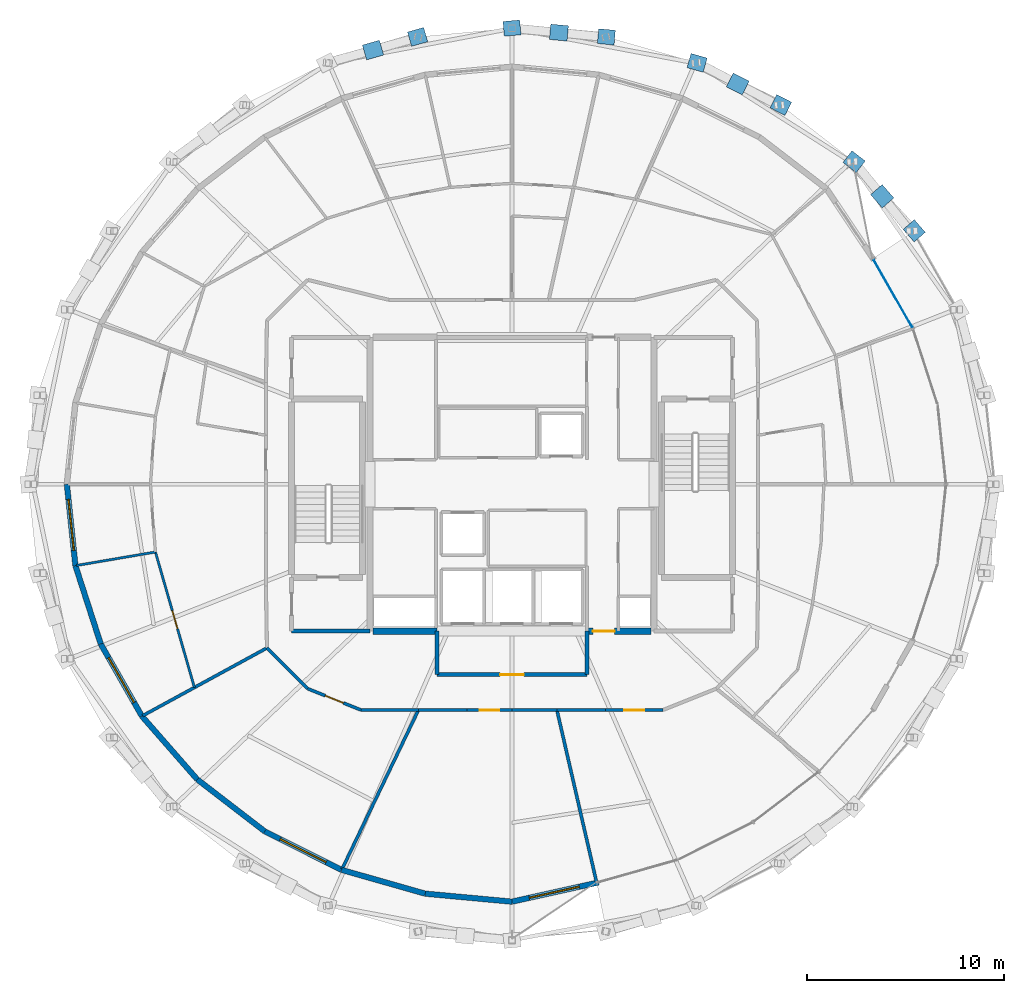
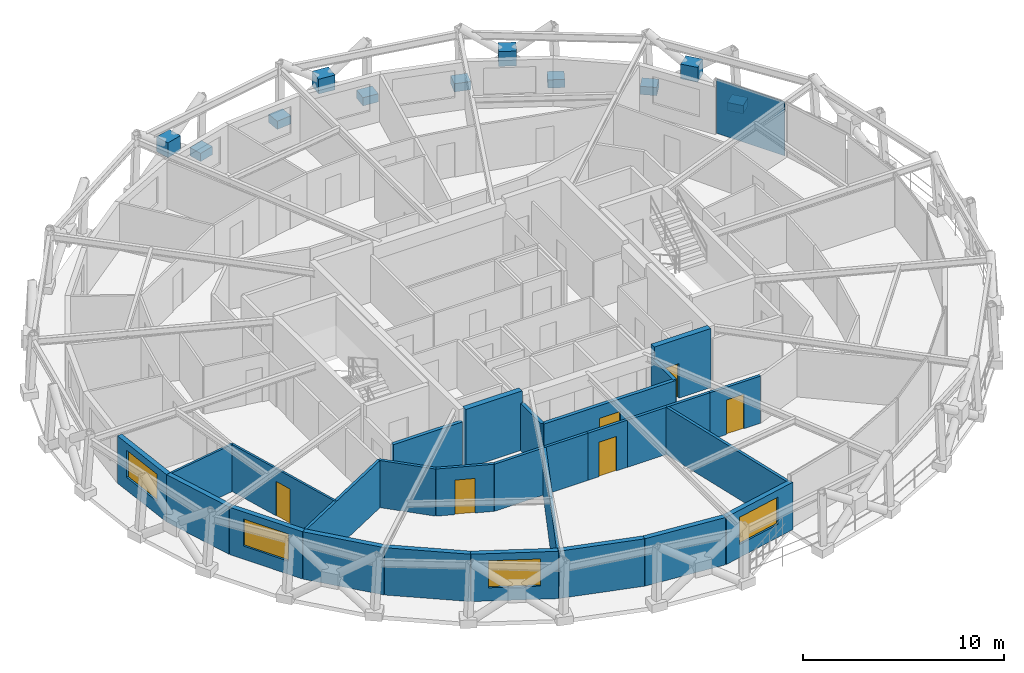
# One storey, part 11 of 17: 28 walls, 12 plates, 6 doors, 4 windows, 10 openings, 1 element without a shape of its own.
"""IFC4 building model written with IfcOpenShell, lengths in metres."""

import ifcopenshell
import ifcopenshell.guid

model = None  # the IFC model being written
_history = None  # IfcOwnerHistory: only IFC2X3 demands one
_inside = {}  # id of a spatial element -> (the spatial element, [elements in it])
_under = {}  # id of a project, library or spatial element -> (it, [spatial elements below it])
_declared = {}  # id of a project -> (the project, [libraries it declares])
_typed = {}  # id of a type object -> (the type object, [elements of that type])
_made_of = {}  # id of a material, layer set ... -> (it, [elements and type objects made of it])


def new_model(schema):
    """Start an empty IFC model of exactly this schema.

    Asked for "IFC4X3", IfcOpenShell would pick the latest addendum, in which some entities
    have other attributes; the version numbers below select the first issue.
    IFC2X3 requires an IfcOwnerHistory on every rooted entity: one is made here for all.
    """
    global model, _history
    if schema == "IFC4X3":
        model = ifcopenshell.file(schema_version=(4, 3, 0, 0))
    else:
        model = ifcopenshell.file(schema=schema)
    _inside.clear()
    _under.clear()
    _declared.clear()
    _typed.clear()
    _made_of.clear()
    _history = None
    if model.schema == "IFC2X3":
        org = make("IfcOrganization", Name="unknown")
        user = make(
            "IfcPersonAndOrganization",
            ThePerson=make("IfcPerson", FamilyName="unknown"),
            TheOrganization=org,
        )
        app = make(
            "IfcApplication",
            ApplicationDeveloper=org,
            Version="unknown",
            ApplicationFullName="unknown",
            ApplicationIdentifier="unknown",
        )
        _history = make(
            "IfcOwnerHistory",
            OwningUser=user,
            OwningApplication=app,
            ChangeAction="ADDED",
            CreationDate=0,
        )
    return model


def make(cls, **values):
    """One entity of the class cls with the attributes given. An attribute that is None is left unset."""
    return model.create_entity(
        cls, **{name: value for name, value in values.items() if value is not None}
    )


def rooted(cls, **values):
    """An entity with a GlobalId (a new one), such as an element, a storey or a relation."""
    return make(cls, GlobalId=ifcopenshell.guid.new(), OwnerHistory=_history, **values)


def si_unit(unit_type, name, prefix=None):
    """IfcSIUnit, for example si_unit("LENGTHUNIT", "METRE", prefix="MILLI")."""
    return make("IfcSIUnit", UnitType=unit_type, Prefix=prefix, Name=name)


def assignment(units):
    """IfcUnitAssignment: the units of a project."""
    return None if units is None else make("IfcUnitAssignment", Units=units)


def point(xyz):
    """IfcCartesianPoint."""
    return None if xyz is None else make("IfcCartesianPoint", Coordinates=xyz)


def direction(xyz):
    """IfcDirection."""
    return None if xyz is None else make("IfcDirection", DirectionRatios=xyz)


def frame(location, z_axis=None, x_axis=None):
    """IfcAxis2Placement3D, a coordinate frame: its origin and axes. An axis left out is left unset."""
    return make(
        "IfcAxis2Placement3D",
        Location=point(location),
        Axis=direction(z_axis),
        RefDirection=direction(x_axis),
    )


def frame_2d(location, x_axis=None):
    """IfcAxis2Placement2D, a coordinate frame in the plane: its origin and x axis."""
    return make(
        "IfcAxis2Placement2D", Location=point(location), RefDirection=direction(x_axis)
    )


def origin():
    """The frame at (0, 0, 0) with its axes left unset."""
    return frame((0.0, 0.0, 0.0))


def origin_2d():
    """The frame at (0, 0) in the plane with its x axis left unset."""
    return frame_2d((0.0, 0.0))


def place(relative_to, where):
    """IfcLocalPlacement: puts the frame where relative to a parent placement (None: the world)."""
    return make(
        "IfcLocalPlacement", PlacementRelTo=relative_to, RelativePlacement=where
    )


def context(
    kind, dimensions, precision=None, world=None, true_north=None, identifier=None
):
    """IfcGeometricRepresentationContext, for example the 3D "Model" context."""
    return make(
        "IfcGeometricRepresentationContext",
        ContextIdentifier=identifier,
        ContextType=kind,
        CoordinateSpaceDimension=dimensions,
        Precision=precision,
        WorldCoordinateSystem=world,
        TrueNorth=true_north,
    )


def subcontext(parent, identifier, kind, view, scale=None):
    """IfcGeometricRepresentationSubContext, for example "Body" below "Model"."""
    return make(
        "IfcGeometricRepresentationSubContext",
        ContextIdentifier=identifier,
        ContextType=kind,
        ParentContext=parent,
        TargetScale=scale,
        TargetView=view,
    )


def project(units=None, contexts=None):
    """IfcProject with its units and contexts."""
    return rooted(
        "IfcProject",
        Name="project",
        RepresentationContexts=contexts,
        UnitsInContext=assignment(units),
    )


def spatial(cls, under=None, at=None, **own):
    """A site, building, storey or space (cls), placed at a placement, below another one or the project."""
    s = rooted(cls, ObjectPlacement=at, **own)
    if under is not None:
        _under.setdefault(under.id(), (under, []))[1].append(s)
    return s


def profile(cls, at=None, kind="AREA", **sizes):
    """A parametric profile (cls). Its sizes go by their IFC names, for example OverallWidth=200.0."""
    return make(cls, ProfileType=kind, Position=at, **sizes)


def rectangle(**sizes):
    """IfcRectangleProfileDef."""
    return profile("IfcRectangleProfileDef", **sizes)


def extrude(swept, where, along, depth):
    """IfcExtrudedAreaSolid: the profile swept, set in the frame where, extruded along a direction by depth."""
    return make(
        "IfcExtrudedAreaSolid",
        SweptArea=swept,
        Position=where,
        ExtrudedDirection=direction(along),
        Depth=depth,
    )


def shape(context_of_items, identifier, shape_type, items):
    """IfcShapeRepresentation: the items that make up one representation, for example the "Body"."""
    return make(
        "IfcShapeRepresentation",
        ContextOfItems=context_of_items,
        RepresentationIdentifier=identifier,
        RepresentationType=shape_type,
        Items=items,
    )


def material(Name=None, Category=None):
    """IfcMaterial."""
    return make("IfcMaterial", Name=Name, Category=Category)


def layer(
    of_material, thickness, ventilated=None, Name=None, Category=None, Priority=None
):
    """IfcMaterialLayer: one layer of a wall or slab, of a material (None: an air gap)."""
    return make(
        "IfcMaterialLayer",
        Material=of_material,
        LayerThickness=thickness,
        IsVentilated=ventilated,
        Name=Name,
        Category=Category,
        Priority=Priority,
    )


def layer_set(layers, Name=None):
    """IfcMaterialLayerSet."""
    return make("IfcMaterialLayerSet", MaterialLayers=layers, LayerSetName=Name)


def made_of(thing, what):
    """Note that an element or type object is made of a material, layer set ...; save() writes the relation."""
    if what is not None:
        _made_of.setdefault(what.id(), (what, []))[1].append(thing)
    return thing


def type_object(cls, material=None, **own):
    """A type object (cls), such as IfcWallType, which elements share."""
    return made_of(rooted(cls, **own), material)


def element(
    cls,
    number,
    at=None,
    inside=None,
    cuts=None,
    type_object=None,
    material=None,
    context=None,
    identifier="Body",
    shape_type=None,
    held_by="IfcProductDefinitionShape",
    body=None,
    shapes=None,
    **own,
):
    """One element of the class cls, such as IfcWall. Its Tag is "e" and its number.

    at: its placement. inside: the storey or other place that contains it. cuts: it is an
    opening in that element (IfcRelVoidsElement). A single representation is given by context,
    identifier, shape_type and body (its items); several are given by shapes. held_by: the class
    of the entity that holds the representations. save() writes the other relations.
    """
    e = rooted(cls, Tag="e%d" % number, ObjectPlacement=at, **own)
    if body is not None:
        shapes = [shape(context, identifier, shape_type, body)]
    if shapes is not None:
        e.Representation = make(held_by, Representations=shapes)
    if inside is not None:
        _inside.setdefault(inside.id(), (inside, []))[1].append(e)
    if cuts is not None:
        rooted(
            "IfcRelVoidsElement", RelatingBuildingElement=cuts, RelatedOpeningElement=e
        )
    if type_object is not None:
        _typed.setdefault(type_object.id(), (type_object, []))[1].append(e)
    return made_of(e, material)


def fill(opening, filler):
    """IfcRelFillsElement: the door or window that sits in an opening."""
    return rooted(
        "IfcRelFillsElement",
        RelatingOpeningElement=opening,
        RelatedBuildingElement=filler,
    )


def aggregate(whole, parts):
    """IfcRelAggregates: a whole, such as a stair, and the parts it consists of."""
    return rooted("IfcRelAggregates", RelatingObject=whole, RelatedObjects=parts)


def save(model, path):
    """Write the relations noted so far, then the file.

    IfcRelAggregates (storeys below a building ...), IfcRelContainedInSpatialStructure (elements
    in a storey), IfcRelDefinesByType, IfcRelAssociatesMaterial and IfcRelDeclares: one each for
    every whole, place, type object, material and project.
    """
    for whole, parts in _under.values():
        aggregate(whole, parts)
    for where, things in _inside.values():
        rooted(
            "IfcRelContainedInSpatialStructure",
            RelatedElements=things,
            RelatingStructure=where,
        )
    for kind, things in _typed.values():
        rooted("IfcRelDefinesByType", RelatedObjects=things, RelatingType=kind)
    for what, things in _made_of.values():
        rooted("IfcRelAssociatesMaterial", RelatedObjects=things, RelatingMaterial=what)
    for by, libraries in _declared.values():
        rooted("IfcRelDeclares", RelatingContext=by, RelatedDefinitions=libraries)
    model.write(path)


model = new_model("IFC4")

# Units and contexts
model_context = context("Model", 3, precision=1e-05, world=origin(), true_north=direction((0.0, 1.0)))
body_context = subcontext(model_context, "Body", "Model", "MODEL_VIEW")
ifc_project = project(units=[si_unit("LENGTHUNIT", "METRE"), si_unit("AREAUNIT", "SQUARE_METRE"), si_unit("VOLUMEUNIT", "CUBIC_METRE"), si_unit("PLANEANGLEUNIT", "RADIAN"), si_unit("MASSUNIT", "GRAM", prefix="KILO")], contexts=[model_context])

# Site, building, storey
site_placement = place(None, origin())
site = spatial("IfcSite", under=ifc_project, at=site_placement, CompositionType="ELEMENT")
building_placement = place(site_placement, origin())
building = spatial("IfcBuilding", under=site, at=building_placement, Name="Veldorina Hangang Commons", CompositionType="ELEMENT")
storey_placement = place(building_placement, frame((0.0, 0.0, 229.199951171875)))
storey = spatial("IfcBuildingStorey", under=building, at=storey_placement, Name="L59", CompositionType="ELEMENT", Elevation=229.199951171875)

# Curtain wall, plate
ifc_material_1 = material(Name="Glass Low-E Selective", Category="glass")
ifc_layer_1 = layer(ifc_material_1, 0.179931640625)
ifc_layer_set_1 = layer_set([ifc_layer_1], Name="Glass Low-E Selective")
curtain_wall_type = type_object("IfcCurtainWallType", Name="CW-SYS-Z3", PredefinedType="NOTDEFINED", material=ifc_layer_set_1)
curtain_wall_placement = place(storey_placement, origin())
curtain_wall = element("IfcCurtainWall", 1, at=curtain_wall_placement, inside=storey, type_object=curtain_wall_type, Name="L59 unitised curtain wall CW-L59-R2", PredefinedType="NOTDEFINED")
ifc_material_2 = material(Name="Glass Low-E Triple IGU", Category="glass")
ifc_layer_2 = layer(ifc_material_2, 0.0400390625)
ifc_layer_set_2 = layer_set([ifc_layer_2], Name="Glass Low-E Triple IGU")
plate_type_1 = type_object("IfcPlateType", Name="CW-PNL-VIS", PredefinedType="CURTAIN_PANEL", material=ifc_layer_set_2)
plate_1_placement = place(storey_placement, frame((51.3212890625, 33.668701171875, 0.01513671875), z_axis=(0.0, 0.0, 1.0), x_axis=(-0.495792162458, 0.868441207938, 0.0)))
plate_1 = element("IfcPlate", 2, at=plate_1_placement, type_object=plate_type_1, Name="CW-L59-R2 facet 5 glazed vision panel", PredefinedType="CURTAIN_PANEL", context=body_context, shape_type="SweptSolid", body=[
    extrude(rectangle(XDim=3.923095703125, YDim=0.0400390625, at=origin_2d()), origin(), (0.0, 0.0, 1.0), 3.2900390625),
])
aggregate(curtain_wall, [plate_1])

# Plates
ifc_material_3 = material(Name="Steel SM460-TMC", Category="steel")
ifc_layer_3 = layer(ifc_material_3, 0.035888671875)
ifc_layer_set_3 = layer_set([ifc_layer_3], Name="Steel SM460-TMC")
plate_type_2 = type_object("IfcPlateType", Name="PL-STAR-36", PredefinedType="USERDEFINED", material=ifc_layer_set_3)
plate_2_placement = place(storey_placement, frame((52.3994140625, 36.8505859375, -0.08984375), z_axis=(0.0, 0.0, 1.0), x_axis=(-0.656572591483, 0.754262840204, 0.0)))
element("IfcPlate", 3, at=plate_2_placement, inside=storey, type_object=plate_type_2, Name="L59 diagrid star-node gusset plate 03", ObjectType="GUSSET PLATE", PredefinedType="USERDEFINED", context=body_context, shape_type="SweptSolid", body=[
    extrude(rectangle(XDim=0.85009765625, YDim=0.75, at=origin_2d()), origin(), (0.0, 0.0, 1.0), 0.5),
])
plate_3_placement = place(storey_placement, frame((50.77490234375, 38.60302734375, 1.3544921875), z_axis=(0.0, 0.0, 1.0), x_axis=(-0.656572591483, 0.754262840204, 0.0)))
element("IfcPlate", 4, at=plate_3_placement, inside=storey, type_object=plate_type_2, Name="L59 diagrid X-crossing star-node gusset plate 03", ObjectType="GUSSET PLATE", PredefinedType="USERDEFINED", context=body_context, shape_type="SweptSolid", body=[
    extrude(rectangle(XDim=0.89990234375, YDim=0.780029296875, at=origin_2d()), origin(), (0.0, 0.0, 1.0), 0.89990234375),
])
for number, where, z_axis, x_axis, name in (
    (5, (49.34814453125, 40.355712890625, -0.08984375), (0.0, 0.0, 1.0), (-0.790913909982, 0.611927436055, 0.0), "L59 diagrid star-node gusset plate 04"),
    (6, (45.63037109375, 43.232177734375, -0.08984375), (0.0, 0.0, 1.0), (-0.89301821851, 0.45002051221, 0.0), "L59 diagrid star-node gusset plate 05"),
):
    element("IfcPlate", number, at=place(storey_placement, frame(where, z_axis=z_axis, x_axis=x_axis)), inside=storey, type_object=plate_type_2, Name=name, ObjectType="GUSSET PLATE", PredefinedType="USERDEFINED", context=body_context, shape_type="SweptSolid", body=[
        extrude(rectangle(XDim=0.85009765625, YDim=0.75, at=origin_2d()), origin(), (0.0, 0.0, 1.0), 0.5),
    ])
plate_4_placement = place(storey_placement, frame((43.44873046875, 44.300048828125, 1.358154296875), z_axis=(0.0, 0.0, 1.0), x_axis=(-0.89301821851, 0.45002051221, 0.0)))
element("IfcPlate", 7, at=plate_4_placement, inside=storey, type_object=plate_type_2, Name="L59 diagrid X-crossing star-node gusset plate 05", ObjectType="GUSSET PLATE", PredefinedType="USERDEFINED", context=body_context, shape_type="SweptSolid", body=[
    extrude(rectangle(XDim=0.89990234375, YDim=0.780029296875, at=origin_2d()), origin(), (0.0, 0.0, 1.0), 0.89990234375),
])
for number, where, z_axis, x_axis, name in (
    (8, (41.388916015625, 45.36962890625, -0.08984375), (0.0, 0.0, 1.0), (-0.961453892845, 0.274966201438, 0.0), "L59 diagrid star-node gusset plate 06"),
    (9, (36.786376953125, 46.685791015625, -0.08984375), (0.0, 0.0, 1.0), (-0.995716633539, 0.092457480467, 0.0), "L59 diagrid star-node gusset plate 07"),
):
    element("IfcPlate", number, at=place(storey_placement, frame(where, z_axis=z_axis, x_axis=x_axis)), inside=storey, type_object=plate_type_2, Name=name, ObjectType="GUSSET PLATE", PredefinedType="USERDEFINED", context=body_context, shape_type="SweptSolid", body=[
        extrude(rectangle(XDim=0.85009765625, YDim=0.75, at=origin_2d()), origin(), (0.0, 0.0, 1.0), 0.5),
    ])
plate_5_placement = place(storey_placement, frame((34.380126953125, 46.9033203125, 1.35986328125), z_axis=(0.0, 0.0, 1.0), x_axis=(-0.995716633539, 0.092457480467, 0.0)))
element("IfcPlate", 10, at=plate_5_placement, inside=storey, type_object=plate_type_2, Name="L59 diagrid X-crossing star-node gusset plate 07", ObjectType="GUSSET PLATE", PredefinedType="USERDEFINED", context=body_context, shape_type="SweptSolid", body=[
    extrude(rectangle(XDim=0.89990234375, YDim=0.780029296875, at=origin_2d()), origin(), (0.0, 0.0, 1.0), 0.89990234375),
])
for number, where, z_axis, x_axis, name in (
    (11, (32.0, 47.13037109375, -0.08984375), (0.0, 0.0, 1.0), (-0.995716633539, -0.092457480467, 0.0), "L59 diagrid star-node gusset plate 08"),
    (12, (27.213623046875, 46.685791015625, -0.08984375), (0.0, 0.0, 1.0), (-0.961453892845, -0.274966201438, 0.0), "L59 diagrid star-node gusset plate 09"),
):
    element("IfcPlate", number, at=place(storey_placement, frame(where, z_axis=z_axis, x_axis=x_axis)), inside=storey, type_object=plate_type_2, Name=name, ObjectType="GUSSET PLATE", PredefinedType="USERDEFINED", context=body_context, shape_type="SweptSolid", body=[
        extrude(rectangle(XDim=0.85009765625, YDim=0.75, at=origin_2d()), origin(), (0.0, 0.0, 1.0), 0.5),
    ])
plate_6_placement = place(storey_placement, frame((24.952392578125, 46.018798828125, 1.359375), z_axis=(0.0, 0.0, 1.0), x_axis=(-0.961453892845, -0.274966201438, 0.0)))
element("IfcPlate", 13, at=plate_6_placement, inside=storey, type_object=plate_type_2, Name="L59 diagrid X-crossing star-node gusset plate 09", ObjectType="GUSSET PLATE", PredefinedType="USERDEFINED", context=body_context, shape_type="SweptSolid", body=[
    extrude(rectangle(XDim=0.89990234375, YDim=0.780029296875, at=origin_2d()), origin(), (0.0, 0.0, 1.0), 0.89990234375),
])

# Wall
ifc_material_4 = material(Name="Concrete C50/60", Category="concrete")
ifc_layer_4 = layer(ifc_material_4, 0.320068359375)
ifc_layer_set_4 = layer_set([ifc_layer_4], Name="Concrete C50/60")
wall_type_1 = type_object("IfcWallType", Name="CW-RC320-C50", PredefinedType="SHEAR", material=ifc_layer_set_4)
wall_1_placement = place(storey_placement, frame((24.9599609375, 16.550048828125, 0.0), z_axis=(0.0, 0.0, 1.0), x_axis=(1.0, 0.0, 0.0)))
element("IfcWall", 14, at=wall_1_placement, inside=storey, type_object=wall_type_1, Name="L59 south-west core shear wall", PredefinedType="SHEAR", context=body_context, shape_type="SweptSolid", body=[
    extrude(rectangle(XDim=3.239990234375, YDim=0.320068359375, at=frame_2d((1.6201171875, 0.0))), origin(), (0.0, 0.0, 1.0), 3.60009765625),
])

# Wall, opening, door
wall_2_placement = place(storey_placement, frame((35.800048828125, 16.550048828125, 0.0), z_axis=(0.0, 0.0, 1.0), x_axis=(1.0, 0.0, 0.0)))
wall_2 = element("IfcWall", 15, at=wall_2_placement, inside=storey, type_object=wall_type_1, Name="L59 south-east core shear wall", PredefinedType="SHEAR", context=body_context, shape_type="SweptSolid", body=[
    extrude(rectangle(XDim=3.239990234375, YDim=0.320068359375, at=frame_2d((1.6201171875, 0.0))), origin(), (0.0, 0.0, 1.0), 3.60009765625),
])
opening_1_placement = place(wall_2_placement, frame((0.300048828125, 0.0, 0.0)))
opening_1 = element("IfcOpeningElement", 16, at=opening_1_placement, cuts=wall_2, Name="Opening D-08", PredefinedType="OPENING", context=body_context, shape_type="SweptSolid", body=[
    extrude(rectangle(XDim=1.10009765625, YDim=2.10009765625, at=frame_2d((0.550048828125, 1.050048828125))), frame((0.0, 0.169921875, 0.0), z_axis=(0.0, -1.0, 0.0), x_axis=(1.0, 0.0, 0.0)), (0.0, 0.0, 1.0), 0.340087890625),
])
ifc_material_5 = material(Name="Steel Fire-Rated Smoke Seal", Category="steel")
door_type_1 = type_object("IfcDoorType", Name="DR-FIRE-1100", OperationType="SINGLE_SWING_RIGHT", PredefinedType="DOOR", material=ifc_material_5)
door_1_placement = place(opening_1_placement, origin())
door_1 = element("IfcDoor", 17, at=door_1_placement, inside=storey, type_object=door_type_1, Name="L59 central lift lobby south corridor door", OperationType="SINGLE_SWING_RIGHT", OverallHeight=2.10009765625, OverallWidth=1.10009765625, PredefinedType="DOOR", context=body_context, shape_type="SweptSolid", body=[
    extrude(rectangle(XDim=1.10009765625, YDim=2.10009765625, at=frame_2d((0.550048828125, 1.050048828125))), frame((0.0, 0.02490234375, 0.0), z_axis=(0.0, -1.0, 0.0), x_axis=(1.0, 0.0, 0.0)), (0.0, 0.0, 1.0), 0.050048828125),
])
fill(opening_1, door_1)

# Wall, opening, window
ifc_material_6 = material(Name="Stone Roman Travertine", Category="masonry")
ifc_layer_5 = layer(ifc_material_6, 0.280029296875)
ifc_layer_set_5 = layer_set([ifc_layer_5], Name="Stone Roman Travertine")
wall_type_2 = type_object("IfcWallType", Name="EW-TRAV-280", PredefinedType="STANDARD", material=ifc_layer_set_5)
wall_3_placement = place(storey_placement, frame((9.426025390625, 24.0, 0.0), z_axis=(0.0, 0.0, 1.0), x_axis=(0.104467505457, -0.994528300404, 0.0)))
wall_3 = element("IfcWall", 18, at=wall_3_placement, inside=storey, type_object=wall_type_2, Name="L59 travertine facade wall 16", PredefinedType="STANDARD", context=body_context, shape_type="SweptSolid", body=[
    extrude(rectangle(XDim=4.15283203125, YDim=0.280029296875, at=frame_2d((2.076416015625, 0.0))), origin(), (0.0, 0.0, 1.0), 2.880126953125),
])
opening_2_placement = place(wall_3_placement, frame((0.7763671875, 0.0, 0.800048828125)))
opening_2 = element("IfcOpeningElement", 19, at=opening_2_placement, cuts=wall_3, Name="Opening W-02", PredefinedType="OPENING", context=body_context, shape_type="SweptSolid", body=[
    extrude(rectangle(XDim=2.60009765625, YDim=1.64990234375, at=frame_2d((1.300048828125, 0.824951171875))), frame((0.0, 0.14990234375, 0.0), z_axis=(0.0, -1.0, 0.0), x_axis=(1.0, 0.0, 0.0)), (0.0, 0.0, 1.0), 0.300048828125),
])
window_type = type_object("IfcWindowType", Name="WIN-TWR-2600", PartitioningType="SINGLE_PANEL", PredefinedType="WINDOW", material=ifc_material_2)
window_1_placement = place(opening_2_placement, origin())
window_1 = element("IfcWindow", 20, at=window_1_placement, inside=storey, type_object=window_type, Name="L59 facade window 16", OverallHeight=1.64990234375, OverallWidth=2.60009765625, PartitioningType="SINGLE_PANEL", PredefinedType="WINDOW", context=body_context, shape_type="SweptSolid", body=[
    extrude(rectangle(XDim=2.60009765625, YDim=1.64990234375, at=frame_2d((1.300048828125, 0.824951171875))), frame((0.0, 0.030029296875, 0.0), z_axis=(0.0, -1.0, 0.0), x_axis=(1.0, 0.0, 0.0)), (0.0, 0.0, 1.0), 0.06005859375),
])
fill(opening_2, window_1)

# Wall
wall_4_placement = place(storey_placement, frame((9.85986328125, 19.869873046875, 0.0), z_axis=(0.0, 0.0, 1.0), x_axis=(0.307722172472, -0.951476255389, 0.0)))
element("IfcWall", 21, at=wall_4_placement, inside=storey, type_object=wall_type_2, Name="L59 travertine facade wall 17", PredefinedType="STANDARD", context=body_context, shape_type="SweptSolid", body=[
    extrude(rectangle(XDim=4.174072265625, YDim=0.280029296875, at=frame_2d((2.0869140625, 0.0))), origin(), (0.0, 0.0, 1.0), 2.880126953125),
])

# Wall, opening, window
wall_5_placement = place(storey_placement, frame((11.144287109375, 15.8984375, 0.0), z_axis=(0.0, 0.0, 1.0), x_axis=(0.495183798622, -0.868788239782, 0.0)))
wall_5 = element("IfcWall", 22, at=wall_5_placement, inside=storey, type_object=wall_type_2, Name="L59 travertine facade wall 18", PredefinedType="STANDARD", context=body_context, shape_type="SweptSolid", body=[
    extrude(rectangle(XDim=4.212890625, YDim=0.280029296875, at=frame_2d((2.1064453125, 0.0))), origin(), (0.0, 0.0, 1.0), 2.880126953125),
])
opening_3_placement = place(wall_5_placement, frame((0.806396484375, 0.0, 0.800048828125)))
opening_3 = element("IfcOpeningElement", 23, at=opening_3_placement, cuts=wall_5, Name="Opening W-02", PredefinedType="OPENING", context=body_context, shape_type="SweptSolid", body=[
    extrude(rectangle(XDim=2.60009765625, YDim=1.64990234375, at=frame_2d((1.300048828125, 0.824951171875))), frame((0.0, 0.14990234375, 0.0), z_axis=(0.0, -1.0, 0.0), x_axis=(1.0, 0.0, 0.0)), (0.0, 0.0, 1.0), 0.300048828125),
])
window_2_placement = place(opening_3_placement, origin())
window_2 = element("IfcWindow", 24, at=window_2_placement, inside=storey, type_object=window_type, Name="L59 facade window 18", OverallHeight=1.64990234375, OverallWidth=2.60009765625, PartitioningType="SINGLE_PANEL", PredefinedType="WINDOW", context=body_context, shape_type="SweptSolid", body=[
    extrude(rectangle(XDim=2.60009765625, YDim=1.64990234375, at=frame_2d((1.300048828125, 0.824951171875))), frame((0.0, 0.030029296875, 0.0), z_axis=(0.0, -1.0, 0.0), x_axis=(1.0, 0.0, 0.0)), (0.0, 0.0, 1.0), 0.06005859375),
])
fill(opening_3, window_2)

# Walls
wall_6_placement = place(storey_placement, frame((13.23046875, 12.23828125, 0.0), z_axis=(0.0, 0.0, 1.0), x_axis=(0.65855326106, -0.752534120387, 0.0)))
element("IfcWall", 25, at=wall_6_placement, inside=storey, type_object=wall_type_2, Name="L59 travertine facade wall 19", PredefinedType="STANDARD", context=body_context, shape_type="SweptSolid", body=[
    extrude(rectangle(XDim=4.262939453125, YDim=0.280029296875, at=frame_2d((2.13134765625, 0.0))), origin(), (0.0, 0.0, 1.0), 2.880126953125),
])
wall_7_placement = place(storey_placement, frame((16.037841796875, 9.0302734375, 0.0), z_axis=(0.0, 0.0, 1.0), x_axis=(0.792451546341, -0.609934870869, 0.0)))
element("IfcWall", 26, at=wall_7_placement, inside=storey, type_object=wall_type_2, Name="L59 travertine facade wall 20", PredefinedType="STANDARD", context=body_context, shape_type="SweptSolid", body=[
    extrude(rectangle(XDim=4.316650390625, YDim=0.280029296875, at=frame_2d((2.158203125, 0.0))), origin(), (0.0, 0.0, 1.0), 2.880126953125),
])

# Wall, opening, window
wall_8_placement = place(storey_placement, frame((19.45849609375, 6.3974609375, 0.0), z_axis=(0.0, 0.0, 1.0), x_axis=(0.893979362311, -0.448108134005, 0.0)))
wall_8 = element("IfcWall", 27, at=wall_8_placement, inside=storey, type_object=wall_type_2, Name="L59 travertine facade wall 21", PredefinedType="STANDARD", context=body_context, shape_type="SweptSolid", body=[
    extrude(rectangle(XDim=4.36572265625, YDim=0.280029296875, at=frame_2d((2.182861328125, 0.0))), origin(), (0.0, 0.0, 1.0), 2.880126953125),
])
opening_4_placement = place(wall_8_placement, frame((0.8828125, 0.0, 0.800048828125)))
opening_4 = element("IfcOpeningElement", 28, at=opening_4_placement, cuts=wall_8, Name="Opening W-02", PredefinedType="OPENING", context=body_context, shape_type="SweptSolid", body=[
    extrude(rectangle(XDim=2.60009765625, YDim=1.64990234375, at=frame_2d((1.300048828125, 0.824951171875))), frame((0.0, 0.14990234375, 0.0), z_axis=(0.0, -1.0, 0.0), x_axis=(1.0, 0.0, 0.0)), (0.0, 0.0, 1.0), 0.300048828125),
])
window_3_placement = place(opening_4_placement, origin())
window_3 = element("IfcWindow", 29, at=window_3_placement, inside=storey, type_object=window_type, Name="L59 facade window 21", OverallHeight=1.64990234375, OverallWidth=2.60009765625, PartitioningType="SINGLE_PANEL", PredefinedType="WINDOW", context=body_context, shape_type="SweptSolid", body=[
    extrude(rectangle(XDim=2.60009765625, YDim=1.64990234375, at=frame_2d((1.300048828125, 0.824951171875))), frame((0.0, 0.030029296875, 0.0), z_axis=(0.0, -1.0, 0.0), x_axis=(1.0, 0.0, 0.0)), (0.0, 0.0, 1.0), 0.06005859375),
])
fill(opening_4, window_3)

# Walls
wall_9_placement = place(storey_placement, frame((23.361328125, 4.441162109375, 0.0), z_axis=(0.0, 0.0, 1.0), x_axis=(0.961841376219, -0.27360768811, 0.0)))
element("IfcWall", 30, at=wall_9_placement, inside=storey, type_object=wall_type_2, Name="L59 travertine facade wall 22", PredefinedType="STANDARD", context=body_context, shape_type="SweptSolid", body=[
    extrude(rectangle(XDim=4.402587890625, YDim=0.280029296875, at=frame_2d((2.201171875, 0.0))), origin(), (0.0, 0.0, 1.0), 2.880126953125),
])
wall_10_placement = place(storey_placement, frame((27.595947265625, 3.236572265625, 0.0), z_axis=(0.0, 0.0, 1.0), x_axis=(0.995757268647, -0.092018812952, 0.0)))
element("IfcWall", 31, at=wall_10_placement, inside=storey, type_object=wall_type_2, Name="L59 travertine facade wall 23", PredefinedType="STANDARD", context=body_context, shape_type="SweptSolid", body=[
    extrude(rectangle(XDim=4.4228515625, YDim=0.280029296875, at=frame_2d((2.21142578125, 0.0))), origin(), (0.0, 0.0, 1.0), 2.880126953125),
])

# Wall, opening, window
wall_11_placement = place(storey_placement, frame((32.0, 2.82958984375, 0.0), z_axis=(0.0, 0.0, 1.0), x_axis=(0.976105143188, 0.217298756193, 0.0)))
wall_11 = element("IfcWall", 32, at=wall_11_placement, inside=storey, type_object=wall_type_2, Name="L59 travertine facade wall 24", PredefinedType="STANDARD", context=body_context, shape_type="SweptSolid", body=[
    extrude(rectangle(XDim=4.491943359375, YDim=0.280029296875, at=frame_2d((2.24609375, 0.0))), origin(), (0.0, 0.0, 1.0), 2.880126953125),
])
opening_5_placement = place(wall_11_placement, frame((0.89990234375, 0.0, 0.800048828125)))
opening_5 = element("IfcOpeningElement", 33, at=opening_5_placement, cuts=wall_11, Name="Opening W-02", PredefinedType="OPENING", context=body_context, shape_type="SweptSolid", body=[
    extrude(rectangle(XDim=2.60009765625, YDim=1.64990234375, at=frame_2d((1.300048828125, 0.824951171875))), frame((0.0, 0.14990234375, 0.0), z_axis=(0.0, -1.0, 0.0), x_axis=(1.0, 0.0, 0.0)), (0.0, 0.0, 1.0), 0.300048828125),
])
window_4_placement = place(opening_5_placement, origin())
window_4 = element("IfcWindow", 34, at=window_4_placement, inside=storey, type_object=window_type, Name="L59 facade window 24", OverallHeight=1.64990234375, OverallWidth=2.60009765625, PartitioningType="SINGLE_PANEL", PredefinedType="WINDOW", context=body_context, shape_type="SweptSolid", body=[
    extrude(rectangle(XDim=2.60009765625, YDim=1.64990234375, at=frame_2d((1.300048828125, 0.824951171875))), frame((0.0, 0.030029296875, 0.0), z_axis=(0.0, -1.0, 0.0), x_axis=(1.0, 0.0, 0.0)), (0.0, 0.0, 1.0), 0.06005859375),
])
fill(opening_5, window_4)

# Wall
ifc_material_7 = material(Name="Gypsum Fire-Rated Twin Stud Wall", Category="gypsum")
ifc_layer_6 = layer(ifc_material_7, 0.159912109375)
ifc_layer_set_6 = layer_set([ifc_layer_6], Name="Gypsum Fire-Rated Twin Stud Wall")
wall_type_3 = type_object("IfcWallType", Name="WL-FIRE-160", PredefinedType="SOLIDWALL", material=ifc_layer_set_6)
wall_12_placement = place(storey_placement, frame((19.5732421875, 15.69677734375, 0.0), z_axis=(0.0, 0.0, 1.0), x_axis=(0.707106781187, -0.707106781187, 0.0)))
element("IfcWall", 35, at=wall_12_placement, inside=storey, type_object=wall_type_3, Name="L59 Compact collar outer wall 19 069", PredefinedType="SOLIDWALL", context=body_context, shape_type="SweptSolid", body=[
    extrude(rectangle(XDim=2.915771484375, YDim=0.159912109375, at=frame_2d((1.4580078125, 0.0))), origin(), (0.0, 0.0, 1.0), 2.8701171875),
])

# Wall, opening, door
wall_13_placement = place(storey_placement, frame((21.635009765625, 13.635009765625, 0.0), z_axis=(0.0, 0.0, 1.0), x_axis=(0.92856882165, -0.371160266542, 0.0)))
wall_13 = element("IfcWall", 36, at=wall_13_placement, inside=storey, type_object=wall_type_3, Name="L59 Compact collar outer wall 20 070", PredefinedType="SOLIDWALL", context=body_context, shape_type="SweptSolid", body=[
    extrude(rectangle(XDim=2.923095703125, YDim=0.159912109375, at=frame_2d((1.46142578125, 0.0))), origin(), (0.0, 0.0, 1.0), 2.8701171875),
])
opening_6_placement = place(wall_13_placement, frame((0.961669921875, 0.0, 0.0)))
opening_6 = element("IfcOpeningElement", 37, at=opening_6_placement, cuts=wall_13, Name="Opening D-05", PredefinedType="OPENING", context=body_context, shape_type="SweptSolid", body=[
    extrude(rectangle(XDim=1.0, YDim=2.10009765625, at=frame_2d((0.5, 1.050048828125))), frame((0.0, 0.08984375, 0.0), z_axis=(0.0, -1.0, 0.0), x_axis=(1.0, 0.0, 0.0)), (0.0, 0.0, 1.0), 0.179931640625),
])
ifc_material_8 = material(Name="Timber Solid Core Acoustic", Category="wood")
door_type_2 = type_object("IfcDoorType", Name="DR-INT-1000", OperationType="SINGLE_SWING_RIGHT", PredefinedType="DOOR", material=ifc_material_8)
door_2_placement = place(opening_6_placement, origin())
door_2 = element("IfcDoor", 38, at=door_2_placement, inside=storey, type_object=door_type_2, Name="L59 Floor Study Room 5 door 040", OperationType="SINGLE_SWING_RIGHT", OverallHeight=2.10009765625, OverallWidth=1.0, PredefinedType="DOOR", context=body_context, shape_type="SweptSolid", body=[
    extrude(rectangle(XDim=1.0, YDim=2.10009765625, at=frame_2d((0.5, 1.050048828125))), frame((0.0, 0.02490234375, 0.0), z_axis=(0.0, -1.0, 0.0), x_axis=(1.0, 0.0, 0.0)), (0.0, 0.0, 1.0), 0.050048828125),
])
fill(opening_6, door_2)

# Walls
wall_14_placement = place(storey_placement, frame((24.349365234375, 12.550048828125, 0.0), z_axis=(0.0, 0.0, 1.0), x_axis=(1.0, 0.0, 0.0)))
element("IfcWall", 39, at=wall_14_placement, inside=storey, type_object=wall_type_3, Name="L59 Compact collar outer wall 21 071", PredefinedType="SOLIDWALL", context=body_context, shape_type="SweptSolid", body=[
    extrude(rectangle(XDim=2.907958984375, YDim=0.159912109375, at=frame_2d((1.4541015625, 0.0))), origin(), (0.0, 0.0, 1.0), 2.8701171875),
])
wall_15_placement = place(storey_placement, frame((27.25732421875, 12.550048828125, 0.0), z_axis=(0.0, 0.0, 1.0), x_axis=(1.0, 0.0, 0.0)))
element("IfcWall", 40, at=wall_15_placement, inside=storey, type_object=wall_type_3, Name="L59 Compact collar outer wall 22 072", PredefinedType="SOLIDWALL", context=body_context, shape_type="SweptSolid", body=[
    extrude(rectangle(XDim=2.465087890625, YDim=0.159912109375, at=frame_2d((1.232421875, 0.0))), origin(), (0.0, 0.0, 1.0), 2.8701171875),
])

# Wall, opening, door
wall_16_placement = place(storey_placement, frame((29.722412109375, 12.550048828125, 0.0), z_axis=(0.0, 0.0, 1.0), x_axis=(1.0, 0.0, 0.0)))
wall_16 = element("IfcWall", 41, at=wall_16_placement, inside=storey, type_object=wall_type_3, Name="L59 Compact collar outer wall 23 073", PredefinedType="SOLIDWALL", context=body_context, shape_type="SweptSolid", body=[
    extrude(rectangle(XDim=2.277587890625, YDim=0.159912109375, at=frame_2d((1.138671875, 0.0))), origin(), (0.0, 0.0, 1.0), 2.8701171875),
])
opening_7_placement = place(wall_16_placement, frame((0.638671875, 0.0, 0.0)))
opening_7 = element("IfcOpeningElement", 42, at=opening_7_placement, cuts=wall_16, Name="Opening D-05", PredefinedType="OPENING", context=body_context, shape_type="SweptSolid", body=[
    extrude(rectangle(XDim=1.0, YDim=2.10009765625, at=frame_2d((0.5, 1.050048828125))), frame((0.0, 0.08984375, 0.0), z_axis=(0.0, -1.0, 0.0), x_axis=(1.0, 0.0, 0.0)), (0.0, 0.0, 1.0), 0.179931640625),
])
door_3_placement = place(opening_7_placement, origin())
door_3 = element("IfcDoor", 43, at=door_3_placement, inside=storey, type_object=door_type_2, Name="L59 Floor Study Room 6 door 041", OperationType="SINGLE_SWING_LEFT", OverallHeight=2.10009765625, OverallWidth=1.0, PredefinedType="DOOR", context=body_context, shape_type="SweptSolid", body=[
    extrude(rectangle(XDim=1.0, YDim=2.10009765625, at=frame_2d((0.5, 1.050048828125))), frame((0.0, 0.02490234375, 0.0), z_axis=(0.0, -1.0, 0.0), x_axis=(1.0, 0.0, 0.0)), (0.0, 0.0, 1.0), 0.050048828125),
])
fill(opening_7, door_3)

# Walls
wall_17_placement = place(storey_placement, frame((32.0, 12.550048828125, 0.0), z_axis=(0.0, 0.0, 1.0), x_axis=(1.0, 0.0, 0.0)))
element("IfcWall", 44, at=wall_17_placement, inside=storey, type_object=wall_type_3, Name="L59 Compact collar outer wall 24 074", PredefinedType="SOLIDWALL", context=body_context, shape_type="SweptSolid", body=[
    extrude(rectangle(XDim=2.277587890625, YDim=0.159912109375, at=frame_2d((1.138671875, 0.0))), origin(), (0.0, 0.0, 1.0), 2.8701171875),
])
wall_18_placement = place(storey_placement, frame((34.277587890625, 12.550048828125, 0.0), z_axis=(0.0, 0.0, 1.0), x_axis=(1.0, 0.0, 0.0)))
element("IfcWall", 45, at=wall_18_placement, inside=storey, type_object=wall_type_3, Name="L59 Compact collar outer wall 25 075", PredefinedType="SOLIDWALL", context=body_context, shape_type="SweptSolid", body=[
    extrude(rectangle(XDim=2.465087890625, YDim=0.159912109375, at=frame_2d((1.232421875, 0.0))), origin(), (0.0, 0.0, 1.0), 2.8701171875),
])

# Wall, opening, door
wall_19_placement = place(storey_placement, frame((36.74267578125, 12.550048828125, 0.0), z_axis=(0.0, 0.0, 1.0), x_axis=(1.0, 0.0, 0.0)))
wall_19 = element("IfcWall", 46, at=wall_19_placement, inside=storey, type_object=wall_type_3, Name="L59 Compact collar outer wall 26 076", PredefinedType="SOLIDWALL", context=body_context, shape_type="SweptSolid", body=[
    extrude(rectangle(XDim=2.907958984375, YDim=0.159912109375, at=frame_2d((1.4541015625, 0.0))), origin(), (0.0, 0.0, 1.0), 2.8701171875),
])
opening_8_placement = place(wall_19_placement, frame((0.9541015625, 0.0, 0.0)))
opening_8 = element("IfcOpeningElement", 47, at=opening_8_placement, cuts=wall_19, Name="Opening D-05", PredefinedType="OPENING", context=body_context, shape_type="SweptSolid", body=[
    extrude(rectangle(XDim=1.0, YDim=2.10009765625, at=frame_2d((0.5, 1.050048828125))), frame((0.0, 0.08984375, 0.0), z_axis=(0.0, -1.0, 0.0), x_axis=(1.0, 0.0, 0.0)), (0.0, 0.0, 1.0), 0.179931640625),
])
door_4_placement = place(opening_8_placement, origin())
door_4 = element("IfcDoor", 48, at=door_4_placement, inside=storey, type_object=door_type_2, Name="L59 Seminar Focus Room 7 door 042", OperationType="SINGLE_SWING_RIGHT", OverallHeight=2.10009765625, OverallWidth=1.0, PredefinedType="DOOR", context=body_context, shape_type="SweptSolid", body=[
    extrude(rectangle(XDim=1.0, YDim=2.10009765625, at=frame_2d((0.5, 1.050048828125))), frame((0.0, 0.02490234375, 0.0), z_axis=(0.0, -1.0, 0.0), x_axis=(1.0, 0.0, 0.0)), (0.0, 0.0, 1.0), 0.050048828125),
])
fill(opening_8, door_4)

# Walls
wall_20_placement = place(storey_placement, frame((19.5732421875, 15.69677734375, 0.0), z_axis=(0.0, 0.0, 1.0), x_axis=(-0.877963189824, -0.478728145521, 0.0)))
element("IfcWall", 49, at=wall_20_placement, inside=storey, type_object=wall_type_3, Name="L59 Unit party wall 19 121", PredefinedType="SOLIDWALL", context=body_context, shape_type="SweptSolid", body=[
    extrude(rectangle(XDim=7.17431640625, YDim=0.159912109375, at=frame_2d((3.587158203125, 0.0))), origin(), (0.0, 0.0, 1.0), 2.8701171875),
])
wall_21_placement = place(storey_placement, frame((27.25732421875, 12.550048828125, 0.0), z_axis=(0.0, 0.0, 1.0), x_axis=(-0.433065509255, -0.901362449126, 0.0)))
element("IfcWall", 50, at=wall_21_placement, inside=storey, type_object=wall_type_3, Name="L59 Unit party wall 22 122", PredefinedType="SOLIDWALL", context=body_context, shape_type="SweptSolid", body=[
    extrude(rectangle(XDim=8.946044921875, YDim=0.159912109375, at=frame_2d((4.47314453125, 0.0))), origin(), (0.0, 0.0, 1.0), 2.8701171875),
])
wall_22_placement = place(storey_placement, frame((34.277587890625, 12.550048828125, 0.0), z_axis=(0.0, 0.0, 1.0), x_axis=(0.224283288053, -0.974523989802, 0.0)))
element("IfcWall", 51, at=wall_22_placement, inside=storey, type_object=wall_type_3, Name="L59 Unit party wall 25 123", PredefinedType="SOLIDWALL", context=body_context, shape_type="SweptSolid", body=[
    extrude(rectangle(XDim=8.943359375, YDim=0.159912109375, at=frame_2d((4.4716796875, 0.0))), origin(), (0.0, 0.0, 1.0), 2.8701171875),
])
ifc_material_9 = material(Name="Concrete Blockwork Fire Wall C30/37", Category="masonry")
ifc_layer_7 = layer(ifc_material_9, 0.199951171875)
ifc_layer_set_7 = layer_set([ifc_layer_7], Name="Concrete Blockwork Fire Wall C30/37")
wall_type_4 = type_object("IfcWallType", Name="WL-FIRE-200", PredefinedType="SOLIDWALL", material=ifc_layer_set_7)
wall_23_placement = place(storey_placement, frame((20.820068359375, 16.550048828125, 0.0), z_axis=(0.0, 0.0, 1.0), x_axis=(1.0, 0.0, 0.0)))
element("IfcWall", 52, at=wall_23_placement, inside=storey, type_object=wall_type_4, Name="L59 West vestibule south wall 002", PredefinedType="SOLIDWALL", context=body_context, shape_type="SweptSolid", body=[
    extrude(rectangle(XDim=3.97998046875, YDim=0.199951171875, at=frame_2d((1.989990234375, 0.0))), origin(), (0.0, 0.0, 1.0), 2.8701171875),
])
for number, where, z_axis, x_axis, name in (
    (53, (28.199951171875, 14.35009765625, 0.0), (0.0, 0.0, 1.0), (0.0, 1.0, 0.0), "L59 FF lobby west wall 012"),
    (54, (35.800048828125, 14.35009765625, 0.0), (0.0, 0.0, 1.0), (0.0, 1.0, 0.0), "L59 FF lobby east wall 013"),
):
    element("IfcWall", number, at=place(storey_placement, frame(where, z_axis=z_axis, x_axis=x_axis)), inside=storey, type_object=wall_type_4, Name=name, PredefinedType="SOLIDWALL", context=body_context, shape_type="SweptSolid", body=[
        extrude(rectangle(XDim=2.199951171875, YDim=0.199951171875, at=frame_2d((1.10009765625, 0.0))), origin(), (0.0, 0.0, 1.0), 2.8701171875),
    ])

# Wall, opening, door
wall_24_placement = place(storey_placement, frame((28.199951171875, 14.35009765625, 0.0), z_axis=(0.0, 0.0, 1.0), x_axis=(1.0, 0.0, 0.0)))
wall_24 = element("IfcWall", 55, at=wall_24_placement, inside=storey, type_object=wall_type_4, Name="L59 FF lobby south wall 014", PredefinedType="SOLIDWALL", context=body_context, shape_type="SweptSolid", body=[
    extrude(rectangle(XDim=7.60009765625, YDim=0.199951171875, at=frame_2d((3.800048828125, 0.0))), origin(), (0.0, 0.0, 1.0), 2.8701171875),
])
opening_9_placement = place(wall_24_placement, frame((3.199951171875, 0.0, 0.0)))
opening_9 = element("IfcOpeningElement", 56, at=opening_9_placement, cuts=wall_24, Name="Opening D-09", PredefinedType="OPENING", context=body_context, shape_type="SweptSolid", body=[
    extrude(rectangle(XDim=1.199951171875, YDim=2.10009765625, at=frame_2d((0.60009765625, 1.050048828125))), frame((0.0, 0.10986328125, 0.0), z_axis=(0.0, -1.0, 0.0), x_axis=(1.0, 0.0, 0.0)), (0.0, 0.0, 1.0), 0.219970703125),
])
ifc_material_10 = material(Name="Steel Fire-Rated Corridor Door", Category="steel")
door_type_3 = type_object("IfcDoorType", Name="DR-FIRE-1200", OperationType="SINGLE_SWING_LEFT", PredefinedType="DOOR", material=ifc_material_10)
door_5_placement = place(opening_9_placement, origin())
door_5 = element("IfcDoor", 57, at=door_5_placement, inside=storey, type_object=door_type_3, Name="L59 FF lobby south corridor door 005", OperationType="SINGLE_SWING_LEFT", OverallHeight=2.10009765625, OverallWidth=1.199951171875, PredefinedType="DOOR", context=body_context, shape_type="SweptSolid", body=[
    extrude(rectangle(XDim=1.199951171875, YDim=2.10009765625, at=frame_2d((0.60009765625, 1.050048828125))), frame((0.0, 0.02490234375, 0.0), z_axis=(0.0, -1.0, 0.0), x_axis=(1.0, 0.0, 0.0)), (0.0, 0.0, 1.0), 0.050048828125),
])
fill(opening_9, door_5)

ifc_material_11 = material(Name="Gypsum Acoustic Stud Partition", Category="gypsum")
ifc_layer_8 = layer(ifc_material_11, 0.1201171875)
ifc_layer_set_8 = layer_set([ifc_layer_8], Name="Gypsum Acoustic Stud Partition")
wall_type_5 = type_object("IfcWallType", Name="WL-PART-120", PredefinedType="PARTITIONING", material=ifc_layer_set_8)
wall_25_placement = place(storey_placement, frame((13.9169921875, 20.56201171875, 0.0), z_axis=(0.0, 0.0, 1.0), x_axis=(0.276547112257, -0.961000361448, 0.0)))
wall_25 = element("IfcWall", 58, at=wall_25_placement, inside=storey, type_object=wall_type_5, Name="L59 Cluster 4 bed 4 front wall 119", PredefinedType="PARTITIONING", context=body_context, shape_type="SweptSolid", body=[
    extrude(rectangle(XDim=7.14990234375, YDim=0.1201171875, at=frame_2d((3.574951171875, 0.0))), origin(), (0.0, 0.0, 1.0), 2.8701171875),
])
opening_10_placement = place(wall_25_placement, frame((3.099853515625, 0.0, 0.0)))
opening_10 = element("IfcOpeningElement", 59, at=opening_10_placement, cuts=wall_25, Name="Opening D-02", PredefinedType="OPENING", context=body_context, shape_type="SweptSolid", body=[
    extrude(rectangle(XDim=0.949951171875, YDim=2.10009765625, at=frame_2d((0.47509765625, 1.050048828125))), frame((0.0, 0.070068359375, 0.0), z_axis=(0.0, -1.0, 0.0), x_axis=(1.0, 0.0, 0.0)), (0.0, 0.0, 1.0), 0.14013671875),
])
door_type_4 = type_object("IfcDoorType", Name="DR-INT-950", OperationType="SINGLE_SWING_LEFT", PredefinedType="DOOR", material=ifc_material_8)
door_6_placement = place(opening_10_placement, origin())
door_6 = element("IfcDoor", 60, at=door_6_placement, inside=storey, type_object=door_type_4, Name="L59 Cluster 4 bed 4 door 039", OperationType="SINGLE_SWING_LEFT", OverallHeight=2.10009765625, OverallWidth=0.949951171875, PredefinedType="DOOR", context=body_context, shape_type="SweptSolid", body=[
    extrude(rectangle(XDim=0.949951171875, YDim=2.10009765625, at=frame_2d((0.47509765625, 1.050048828125))), frame((0.0, 0.02490234375, 0.0), z_axis=(0.0, -1.0, 0.0), x_axis=(1.0, 0.0, 0.0)), (0.0, 0.0, 1.0), 0.050048828125),
])
fill(opening_10, door_6)

# Wall
wall_26_placement = place(storey_placement, frame((13.9169921875, 20.56201171875, 0.0), z_axis=(0.0, 0.0, 1.0), x_axis=(-0.98576362556, -0.168137070637, 0.0)))
element("IfcWall", 61, at=wall_26_placement, inside=storey, type_object=wall_type_5, Name="L59 Cluster 4 bed divider 3 120", PredefinedType="PARTITIONING", context=body_context, shape_type="SweptSolid", body=[
    extrude(rectangle(XDim=4.065673828125, YDim=0.1201171875, at=frame_2d((2.03271484375, 0.0))), origin(), (0.0, 0.0, 1.0), 2.8701171875),
])

save(model, "model.ifc")
